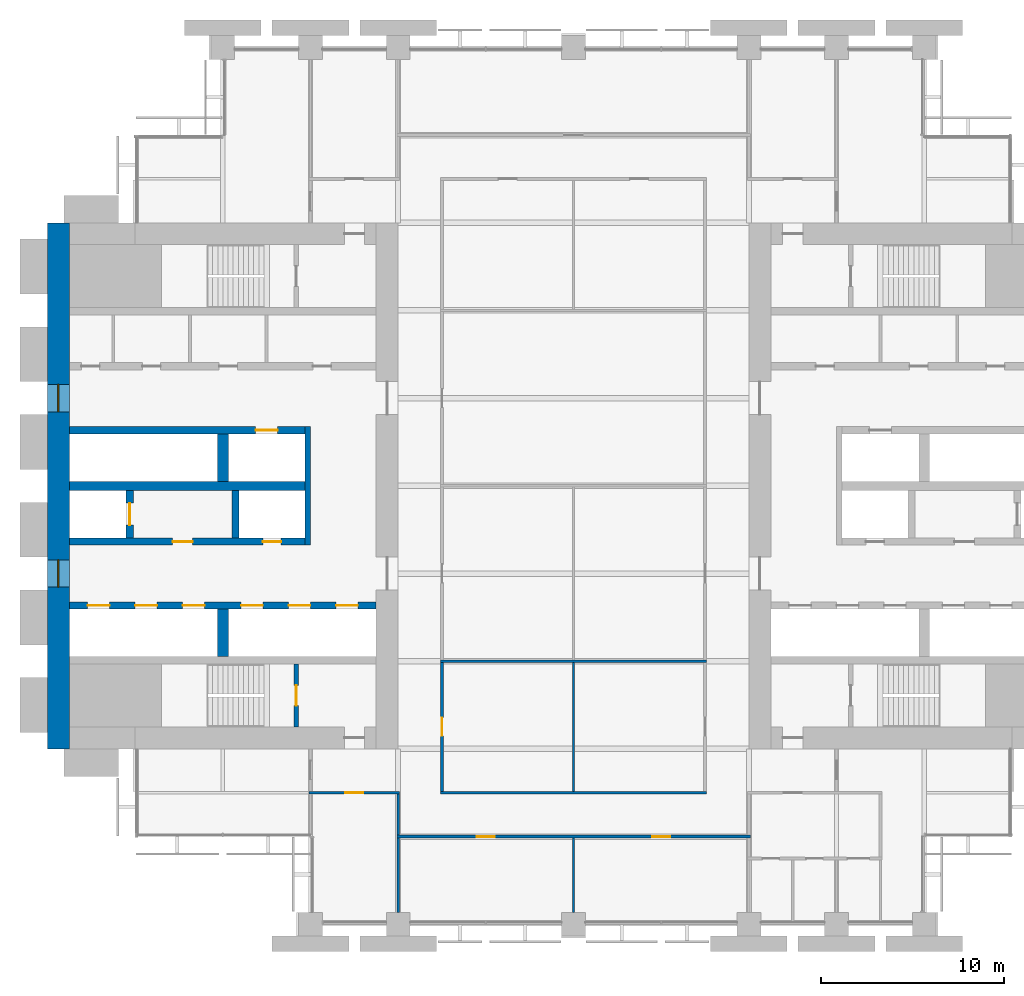
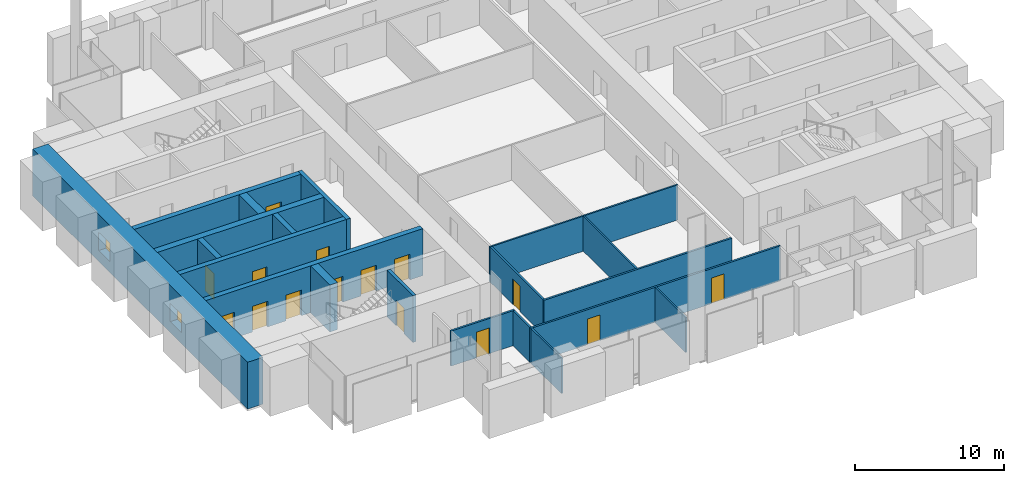
# One storey, part 9 of 14: 20 walls, 15 doors, 2 windows, 17 openings.
"""IFC4 building model written with IfcOpenShell, lengths in metres."""

from ifc_helpers import new_model, si_unit, direction, frame, frame_2d, origin, place, context, subcontext, project, spatial, rectangle, extrude, material, layer, layer_set, type_object, element, fill, save


model = new_model("IFC4")

# Units and contexts
model_context = context("Model", 3, precision=1e-05, world=origin(), true_north=direction((0.0, 1.0)))
body_context = subcontext(model_context, "Body", "Model", "MODEL_VIEW")
ifc_project = project(units=[si_unit("LENGTHUNIT", "METRE"), si_unit("AREAUNIT", "SQUARE_METRE"), si_unit("VOLUMEUNIT", "CUBIC_METRE"), si_unit("PLANEANGLEUNIT", "RADIAN"), si_unit("MASSUNIT", "GRAM", prefix="KILO")], contexts=[model_context])

# Site, building, storey
site_placement = place(None, origin())
site = spatial("IfcSite", under=ifc_project, at=site_placement, CompositionType="ELEMENT")
building_placement = place(site_placement, origin())
building = spatial("IfcBuilding", under=site, at=building_placement, Name="Baori Bourse Tower", CompositionType="ELEMENT")
storey_placement = place(building_placement, frame((0.0, 0.0, 39.0)))
storey = spatial("IfcBuildingStorey", under=building, at=storey_placement, Name="L07", CompositionType="ELEMENT", Elevation=39.0)

# Wall, openings, windows
ifc_material_1 = material(Name="Concrete f'c 70 MPa", Category="concrete")
ifc_layer_1 = layer(ifc_material_1, 1.199951171875)
ifc_layer_set_1 = layer_set([ifc_layer_1], Name="Core wall 1200 f'c 70")
wall_type_1 = type_object("IfcWallType", Name="Core wall 1200 f'c 70", PredefinedType="SHEAR", material=ifc_layer_set_1)
wall_1_placement = place(storey_placement, frame((0.60009765625, 9.60009765625, 0.0), z_axis=(0.0, 0.0, 1.0), x_axis=(0.0, 1.0, 0.0)))
wall_1 = element("IfcWall", 1, at=wall_1_placement, inside=storey, type_object=wall_type_1, Name="Core wall W01", PredefinedType="SHEAR", context=body_context, shape_type="SweptSolid", body=[
    extrude(rectangle(XDim=28.7998046875, YDim=1.199951171875, at=frame_2d((14.39990234375, 0.0))), origin(), (0.0, 0.0, 1.0), 3.840087890625),
])
opening_1_placement = place(wall_1_placement, frame((8.85009765625, 0.0, 0.89990234375)))
opening_1 = element("IfcOpeningElement", 2, at=opening_1_placement, cuts=wall_1, Name="Opening L07-KW101", PredefinedType="OPENING", context=body_context, shape_type="SweptSolid", body=[
    extrude(rectangle(XDim=1.5, YDim=1.5, at=frame_2d((0.75, 0.75))), frame((0.0, 0.60986328125, 0.0), z_axis=(0.0, -1.0, 0.0), x_axis=(1.0, 0.0, 0.0)), (0.0, 0.0, 1.0), 1.219970703125),
])
opening_2_placement = place(wall_1_placement, frame((18.449951171875, 0.0, 0.89990234375)))
opening_2 = element("IfcOpeningElement", 3, at=opening_2_placement, cuts=wall_1, Name="Opening L07-KW102", PredefinedType="OPENING", context=body_context, shape_type="SweptSolid", body=[
    extrude(rectangle(XDim=1.5, YDim=1.5, at=frame_2d((0.75, 0.75))), frame((0.0, 0.60986328125, 0.0), z_axis=(0.0, -1.0, 0.0), x_axis=(1.0, 0.0, 0.0)), (0.0, 0.0, 1.0), 1.219970703125),
])
ifc_material_2 = material(Name="Pale anodised aluminium", Category="aluminium")
window_type = type_object("IfcWindowType", Name="Lobby window 1500 x 1500", PartitioningType="SINGLE_PANEL", PredefinedType="WINDOW", material=ifc_material_2)
window_1_placement = place(opening_1_placement, origin())
window_1 = element("IfcWindow", 4, at=window_1_placement, inside=storey, type_object=window_type, Name="Outer wall window W L07 1", OverallHeight=1.5, OverallWidth=1.5, PartitioningType="SINGLE_PANEL", PredefinedType="WINDOW", context=body_context, shape_type="SweptSolid", body=[
    extrude(rectangle(XDim=1.5, YDim=1.5, at=frame_2d((0.75, 0.75))), frame((0.0, 0.030029296875, 0.0), z_axis=(0.0, -1.0, 0.0), x_axis=(1.0, 0.0, 0.0)), (0.0, 0.0, 1.0), 0.06005859375),
])
fill(opening_1, window_1)
window_2_placement = place(opening_2_placement, origin())
window_2 = element("IfcWindow", 5, at=window_2_placement, inside=storey, type_object=window_type, Name="Outer wall window W L07 2", OverallHeight=1.5, OverallWidth=1.5, PartitioningType="SINGLE_PANEL", PredefinedType="WINDOW", context=body_context, shape_type="SweptSolid", body=[
    extrude(rectangle(XDim=1.5, YDim=1.5, at=frame_2d((0.75, 0.75))), frame((0.0, 0.030029296875, 0.0), z_axis=(0.0, -1.0, 0.0), x_axis=(1.0, 0.0, 0.0)), (0.0, 0.0, 1.0), 0.06005859375),
])
fill(opening_2, window_2)

# Wall, openings, doors
ifc_material_3 = material(Name="Gypsum board partition")
ifc_layer_2 = layer(ifc_material_3, 0.14990234375)
ifc_layer_set_2 = layer_set([ifc_layer_2], Name="Corridor partition 150")
wall_type_2 = type_object("IfcWallType", Name="Corridor partition 150", PredefinedType="PARTITIONING", material=ifc_layer_set_2)
wall_2_placement = place(storey_placement, frame((19.125, 4.800048828125, 0.0), z_axis=(0.0, 0.0, 1.0), x_axis=(1.0, 0.0, 0.0)))
wall_2 = element("IfcWall", 6, at=wall_2_placement, inside=storey, type_object=wall_type_2, Name="Partition", PredefinedType="PARTITIONING", context=body_context, shape_type="SweptSolid", body=[
    extrude(rectangle(XDim=19.35009765625, YDim=0.14990234375, at=frame_2d((9.675048828125, 0.0))), origin(), (0.0, 0.0, 1.0), 2.86962890625),
])
opening_3_placement = place(wall_2_placement, frame((4.375, 0.0, 0.0)))
opening_3 = element("IfcOpeningElement", 7, at=opening_3_placement, cuts=wall_2, Name="Opening L07-D04", PredefinedType="OPENING", context=body_context, shape_type="SweptSolid", body=[
    extrude(rectangle(XDim=1.0, YDim=2.10009765625, at=frame_2d((0.5, 1.050048828125))), frame((0.0, 0.0849609375, 0.0), z_axis=(0.0, -1.0, 0.0), x_axis=(1.0, 0.0, 0.0)), (0.0, 0.0, 1.0), 0.169921875),
])
opening_4_placement = place(wall_2_placement, frame((13.97509765625, 0.0, 0.0)))
opening_4 = element("IfcOpeningElement", 8, at=opening_4_placement, cuts=wall_2, Name="Opening L07-D05", PredefinedType="OPENING", context=body_context, shape_type="SweptSolid", body=[
    extrude(rectangle(XDim=1.0, YDim=2.10009765625, at=frame_2d((0.5, 1.050048828125))), frame((0.0, 0.0849609375, 0.0), z_axis=(0.0, -1.0, 0.0), x_axis=(1.0, 0.0, 0.0)), (0.0, 0.0, 1.0), 0.169921875),
])
ifc_material_4 = material(Name="Timber door leaf", Category="wood")
door_type_1 = type_object("IfcDoorType", Name="Door 1000 x 2100", OperationType="SINGLE_SWING_LEFT", PredefinedType="DOOR", material=ifc_material_4)
door_1_placement = place(opening_3_placement, origin())
door_1 = element("IfcDoor", 9, at=door_1_placement, inside=storey, type_object=door_type_1, Name="Door", OperationType="SINGLE_SWING_LEFT", OverallHeight=2.10009765625, OverallWidth=1.0, PredefinedType="DOOR", context=body_context, shape_type="SweptSolid", body=[
    extrude(rectangle(XDim=1.0, YDim=2.10009765625, at=frame_2d((0.5, 1.050048828125))), frame((0.0, 0.02490234375, 0.0), z_axis=(0.0, -1.0, 0.0), x_axis=(1.0, 0.0, 0.0)), (0.0, 0.0, 1.0), 0.050048828125),
])
fill(opening_3, door_1)
door_2_placement = place(opening_4_placement, origin())
door_2 = element("IfcDoor", 10, at=door_2_placement, inside=storey, type_object=door_type_1, Name="Door", OperationType="SINGLE_SWING_RIGHT", OverallHeight=2.10009765625, OverallWidth=1.0, PredefinedType="DOOR", context=body_context, shape_type="SweptSolid", body=[
    extrude(rectangle(XDim=1.0, YDim=2.10009765625, at=frame_2d((0.5, 1.050048828125))), frame((0.0, 0.02490234375, 0.0), z_axis=(0.0, -1.0, 0.0), x_axis=(1.0, 0.0, 0.0)), (0.0, 0.0, 1.0), 0.050048828125),
])
fill(opening_4, door_2)

# Wall, opening, door
wall_3_placement = place(storey_placement, frame((14.324951171875, 7.199951171875, 0.0), z_axis=(0.0, 0.0, 1.0), x_axis=(1.0, 0.0, 0.0)))
wall_3 = element("IfcWall", 11, at=wall_3_placement, inside=storey, type_object=wall_type_2, Name="Partition", PredefinedType="PARTITIONING", context=body_context, shape_type="SweptSolid", body=[
    extrude(rectangle(XDim=4.949951171875, YDim=0.14990234375, at=frame_2d((2.47509765625, 0.0))), origin(), (0.0, 0.0, 1.0), 2.86962890625),
])
opening_5_placement = place(wall_3_placement, frame((1.97509765625, 0.0, 0.0)))
opening_5 = element("IfcOpeningElement", 12, at=opening_5_placement, cuts=wall_3, Name="Opening L07-D06", PredefinedType="OPENING", context=body_context, shape_type="SweptSolid", body=[
    extrude(rectangle(XDim=1.0, YDim=2.10009765625, at=frame_2d((0.5, 1.050048828125))), frame((0.0, 0.0849609375, 0.0), z_axis=(0.0, -1.0, 0.0), x_axis=(1.0, 0.0, 0.0)), (0.0, 0.0, 1.0), 0.169921875),
])
door_3_placement = place(opening_5_placement, origin())
door_3 = element("IfcDoor", 13, at=door_3_placement, inside=storey, type_object=door_type_1, Name="Door", OperationType="SINGLE_SWING_RIGHT", OverallHeight=2.10009765625, OverallWidth=1.0, PredefinedType="DOOR", context=body_context, shape_type="SweptSolid", body=[
    extrude(rectangle(XDim=1.0, YDim=2.10009765625, at=frame_2d((0.5, 1.050048828125))), frame((0.0, 0.02490234375, 0.0), z_axis=(0.0, -1.0, 0.0), x_axis=(1.0, 0.0, 0.0)), (0.0, 0.0, 1.0), 0.050048828125),
])
fill(opening_5, door_3)

# Walls
wall_4_placement = place(storey_placement, frame((21.52490234375, 7.199951171875, 0.0), z_axis=(0.0, 0.0, 1.0), x_axis=(1.0, 0.0, 0.0)))
element("IfcWall", 14, at=wall_4_placement, inside=storey, type_object=wall_type_2, Name="Partition", PredefinedType="PARTITIONING", context=body_context, shape_type="SweptSolid", body=[
    extrude(rectangle(XDim=14.550048828125, YDim=0.14990234375, at=frame_2d((7.27490234375, 0.0))), origin(), (0.0, 0.0, 1.0), 2.86962890625),
])
wall_5_placement = place(storey_placement, frame((19.199951171875, 4.875, 0.0), z_axis=(0.0, 0.0, 1.0), x_axis=(0.0, 1.0, 0.0)))
element("IfcWall", 15, at=wall_5_placement, inside=storey, type_object=wall_type_2, Name="Partition", PredefinedType="PARTITIONING", context=body_context, shape_type="SweptSolid", body=[
    extrude(rectangle(XDim=2.25, YDim=0.14990234375, at=frame_2d((1.125, 0.0))), origin(), (0.0, 0.0, 1.0), 2.86962890625),
])

# Wall, opening, door
wall_6_placement = place(storey_placement, frame((21.60009765625, 7.27490234375, 0.0), z_axis=(0.0, 0.0, 1.0), x_axis=(0.0, 1.0, 0.0)))
wall_6 = element("IfcWall", 16, at=wall_6_placement, inside=storey, type_object=wall_type_2, Name="Partition", PredefinedType="PARTITIONING", context=body_context, shape_type="SweptSolid", body=[
    extrude(rectangle(XDim=7.0625, YDim=0.14990234375, at=frame_2d((3.53125, 0.0))), origin(), (0.0, 0.0, 1.0), 2.86962890625),
])
opening_6_placement = place(wall_6_placement, frame((3.03125, 0.0, 0.0)))
opening_6 = element("IfcOpeningElement", 17, at=opening_6_placement, cuts=wall_6, Name="Opening L07-D15", PredefinedType="OPENING", context=body_context, shape_type="SweptSolid", body=[
    extrude(rectangle(XDim=1.0, YDim=2.10009765625, at=frame_2d((0.5, 1.050048828125))), frame((0.0, 0.0849609375, 0.0), z_axis=(0.0, -1.0, 0.0), x_axis=(1.0, 0.0, 0.0)), (0.0, 0.0, 1.0), 0.169921875),
])
door_4_placement = place(opening_6_placement, origin())
door_4 = element("IfcDoor", 18, at=door_4_placement, inside=storey, type_object=door_type_1, Name="Door", OperationType="SINGLE_SWING_LEFT", OverallHeight=2.10009765625, OverallWidth=1.0, PredefinedType="DOOR", context=body_context, shape_type="SweptSolid", body=[
    extrude(rectangle(XDim=1.0, YDim=2.10009765625, at=frame_2d((0.5, 1.050048828125))), frame((0.0, 0.02490234375, 0.0), z_axis=(0.0, -1.0, 0.0), x_axis=(1.0, 0.0, 0.0)), (0.0, 0.0, 1.0), 0.050048828125),
])
fill(opening_6, door_4)

# Walls
ifc_material_5 = material(Name="Gypsum board partition")
ifc_layer_3 = layer(ifc_material_5, 0.125)
ifc_layer_set_3 = layer_set([ifc_layer_3], Name="Partition 125")
wall_type_3 = type_object("IfcWallType", Name="Partition 125", PredefinedType="PARTITIONING", material=ifc_layer_set_3)
wall_7_placement = place(storey_placement, frame((21.52490234375, 14.39990234375, 0.0), z_axis=(0.0, 0.0, 1.0), x_axis=(1.0, 0.0, 0.0)))
element("IfcWall", 19, at=wall_7_placement, inside=storey, type_object=wall_type_3, Name="Partition", PredefinedType="PARTITIONING", context=body_context, shape_type="SweptSolid", body=[
    extrude(rectangle(XDim=14.550048828125, YDim=0.125, at=frame_2d((7.27490234375, 0.0))), origin(), (0.0, 0.0, 1.0), 2.86962890625),
])
for number, where, z_axis, x_axis, name in (
    (20, (19.199951171875, 0.64990234375, 0.0), (0.0, 0.0, 1.0), (0.0, 1.0, 0.0), "Partition"),
    (21, (28.800048828125, 0.64990234375, 0.0), (0.0, 0.0, 1.0), (0.0, 1.0, 0.0), "Partition"),
):
    element("IfcWall", number, at=place(storey_placement, frame(where, z_axis=z_axis, x_axis=x_axis)), inside=storey, type_object=wall_type_3, Name=name, PredefinedType="PARTITIONING", context=body_context, shape_type="SweptSolid", body=[
        extrude(rectangle(XDim=4.0751953125, YDim=0.125, at=frame_2d((2.03759765625, 0.0))), origin(), (0.0, 0.0, 1.0), 2.86962890625),
    ])
wall_8_placement = place(storey_placement, frame((28.800048828125, 7.27490234375, 0.0), z_axis=(0.0, 0.0, 1.0), x_axis=(0.0, 1.0, 0.0)))
element("IfcWall", 22, at=wall_8_placement, inside=storey, type_object=wall_type_3, Name="Partition", PredefinedType="PARTITIONING", context=body_context, shape_type="SweptSolid", body=[
    extrude(rectangle(XDim=7.0625, YDim=0.125, at=frame_2d((3.53125, 0.0))), origin(), (0.0, 0.0, 1.0), 2.86962890625),
])

# Wall, opening, door
ifc_material_6 = material(Name="Concrete f'c 70 MPa", Category="concrete")
ifc_layer_4 = layer(ifc_material_6, 0.25)
ifc_layer_set_4 = layer_set([ifc_layer_4], Name="Shaft wall 250 f'c 70")
wall_type_4 = type_object("IfcWallType", Name="Shaft wall 250 f'c 70", PredefinedType="SHEAR", material=ifc_layer_set_4)
wall_9_placement = place(storey_placement, frame((13.625, 10.800048828125, 0.0), z_axis=(0.0, 0.0, 1.0), x_axis=(0.0, 1.0, 0.0)))
wall_9 = element("IfcWall", 23, at=wall_9_placement, inside=storey, type_object=wall_type_4, Name="Core wall W06", PredefinedType="SHEAR", context=body_context, shape_type="SweptSolid", body=[
    extrude(rectangle(XDim=3.449951171875, YDim=0.25, at=frame_2d((1.72509765625, 0.0))), origin(), (0.0, 0.0, 1.0), 3.840087890625),
])
opening_7_placement = place(wall_9_placement, frame((1.175048828125, 0.0, 0.0)))
opening_7 = element("IfcOpeningElement", 24, at=opening_7_placement, cuts=wall_9, Name="Opening L07-D101", PredefinedType="OPENING", context=body_context, shape_type="SweptSolid", body=[
    extrude(rectangle(XDim=1.10009765625, YDim=2.10009765625, at=frame_2d((0.550048828125, 1.050048828125))), frame((0.0, 0.135009765625, 0.0), z_axis=(0.0, -1.0, 0.0), x_axis=(1.0, 0.0, 0.0)), (0.0, 0.0, 1.0), 0.27001953125),
])
ifc_material_7 = material(Name="Painted steel door", Category="steel")
door_type_2 = type_object("IfcDoorType", Name="Stair door 1100", OperationType="SINGLE_SWING_LEFT", PredefinedType="DOOR", material=ifc_material_7)
door_5_placement = place(opening_7_placement, origin())
door_5 = element("IfcDoor", 25, at=door_5_placement, inside=storey, type_object=door_type_2, Name="Stair door A W L07", OperationType="SINGLE_SWING_LEFT", OverallHeight=2.10009765625, OverallWidth=1.10009765625, PredefinedType="DOOR", context=body_context, shape_type="SweptSolid", body=[
    extrude(rectangle(XDim=1.10009765625, YDim=2.10009765625, at=frame_2d((0.550048828125, 1.050048828125))), frame((0.0, 0.02490234375, 0.0), z_axis=(0.0, -1.0, 0.0), x_axis=(1.0, 0.0, 0.0)), (0.0, 0.0, 1.0), 0.050048828125),
])
fill(opening_7, door_5)

# Wall
ifc_material_8 = material(Name="Concrete f'c 70 MPa", Category="concrete")
ifc_layer_5 = layer(ifc_material_8, 0.300048828125)
ifc_layer_set_5 = layer_set([ifc_layer_5], Name="Shaft wall 300 f'c 70")
wall_type_5 = type_object("IfcWallType", Name="Shaft wall 300 f'c 70", PredefinedType="SHEAR", material=ifc_layer_set_5)
wall_10_placement = place(storey_placement, frame((14.25, 20.75, 0.0), z_axis=(0.0, 0.0, 1.0), x_axis=(0.0, 1.0, 0.0)))
element("IfcWall", 26, at=wall_10_placement, inside=storey, type_object=wall_type_5, Name="Core wall W11", PredefinedType="SHEAR", context=body_context, shape_type="SweptSolid", body=[
    extrude(rectangle(XDim=6.5, YDim=0.300048828125, at=frame_2d((3.25, 0.0))), origin(), (0.0, 0.0, 1.0), 3.840087890625),
])

# Wall, openings, doors
ifc_material_9 = material(Name="Concrete f'c 70 MPa", Category="concrete")
ifc_layer_6 = layer(ifc_material_9, 0.39990234375)
ifc_layer_set_6 = layer_set([ifc_layer_6], Name="Shaft wall 400 f'c 70")
wall_type_6 = type_object("IfcWallType", Name="Shaft wall 400 f'c 70", PredefinedType="SHEAR", material=ifc_layer_set_6)
wall_11_placement = place(storey_placement, frame((1.199951171875, 17.449951171875, 0.0), z_axis=(0.0, 0.0, 1.0), x_axis=(1.0, 0.0, 0.0)))
wall_11 = element("IfcWall", 27, at=wall_11_placement, inside=storey, type_object=wall_type_6, Name="Core wall W09", PredefinedType="SHEAR", context=body_context, shape_type="SweptSolid", body=[
    extrude(rectangle(XDim=16.800048828125, YDim=0.39990234375, at=frame_2d((8.39990234375, 0.0))), origin(), (0.0, 0.0, 1.0), 3.840087890625),
])
opening_8_placement = place(wall_11_placement, frame((1.0, 0.0, 0.0)))
opening_8 = element("IfcOpeningElement", 28, at=opening_8_placement, cuts=wall_11, Name="Opening L07-D113", PredefinedType="OPENING", context=body_context, shape_type="SweptSolid", body=[
    extrude(rectangle(XDim=1.199951171875, YDim=2.10009765625, at=frame_2d((0.60009765625, 1.050048828125))), frame((0.0, 0.2099609375, 0.0), z_axis=(0.0, -1.0, 0.0), x_axis=(1.0, 0.0, 0.0)), (0.0, 0.0, 1.0), 0.419921875),
])
opening_9_placement = place(wall_11_placement, frame((3.60009765625, 0.0, 0.0)))
opening_9 = element("IfcOpeningElement", 29, at=opening_9_placement, cuts=wall_11, Name="Opening L07-D114", PredefinedType="OPENING", context=body_context, shape_type="SweptSolid", body=[
    extrude(rectangle(XDim=1.199951171875, YDim=2.10009765625, at=frame_2d((0.60009765625, 1.050048828125))), frame((0.0, 0.2099609375, 0.0), z_axis=(0.0, -1.0, 0.0), x_axis=(1.0, 0.0, 0.0)), (0.0, 0.0, 1.0), 0.419921875),
])
opening_10_placement = place(wall_11_placement, frame((6.199951171875, 0.0, 0.0)))
opening_10 = element("IfcOpeningElement", 30, at=opening_10_placement, cuts=wall_11, Name="Opening L07-D115", PredefinedType="OPENING", context=body_context, shape_type="SweptSolid", body=[
    extrude(rectangle(XDim=1.199951171875, YDim=2.10009765625, at=frame_2d((0.60009765625, 1.050048828125))), frame((0.0, 0.2099609375, 0.0), z_axis=(0.0, -1.0, 0.0), x_axis=(1.0, 0.0, 0.0)), (0.0, 0.0, 1.0), 0.419921875),
])
opening_11_placement = place(wall_11_placement, frame((9.39990234375, 0.0, 0.0)))
opening_11 = element("IfcOpeningElement", 31, at=opening_11_placement, cuts=wall_11, Name="Opening L07-D116", PredefinedType="OPENING", context=body_context, shape_type="SweptSolid", body=[
    extrude(rectangle(XDim=1.199951171875, YDim=2.10009765625, at=frame_2d((0.60009765625, 1.050048828125))), frame((0.0, 0.2099609375, 0.0), z_axis=(0.0, -1.0, 0.0), x_axis=(1.0, 0.0, 0.0)), (0.0, 0.0, 1.0), 0.419921875),
])
opening_12_placement = place(wall_11_placement, frame((12.0, 0.0, 0.0)))
opening_12 = element("IfcOpeningElement", 32, at=opening_12_placement, cuts=wall_11, Name="Opening L07-D117", PredefinedType="OPENING", context=body_context, shape_type="SweptSolid", body=[
    extrude(rectangle(XDim=1.199951171875, YDim=2.10009765625, at=frame_2d((0.60009765625, 1.050048828125))), frame((0.0, 0.2099609375, 0.0), z_axis=(0.0, -1.0, 0.0), x_axis=(1.0, 0.0, 0.0)), (0.0, 0.0, 1.0), 0.419921875),
])
opening_13_placement = place(wall_11_placement, frame((14.60009765625, 0.0, 0.0)))
opening_13 = element("IfcOpeningElement", 33, at=opening_13_placement, cuts=wall_11, Name="Opening L07-D118", PredefinedType="OPENING", context=body_context, shape_type="SweptSolid", body=[
    extrude(rectangle(XDim=1.199951171875, YDim=2.10009765625, at=frame_2d((0.60009765625, 1.050048828125))), frame((0.0, 0.2099609375, 0.0), z_axis=(0.0, -1.0, 0.0), x_axis=(1.0, 0.0, 0.0)), (0.0, 0.0, 1.0), 0.419921875),
])
ifc_material_10 = material(Name="Stainless steel door", Category="steel")
door_type_3 = type_object("IfcDoorType", Name="Lift landing door", OperationType="DOUBLE_DOOR_SLIDING", PredefinedType="DOOR", material=ifc_material_10)
door_6_placement = place(opening_8_placement, origin())
door_6 = element("IfcDoor", 34, at=door_6_placement, inside=storey, type_object=door_type_3, Name="Lift landing door LR1 W L07", OperationType="DOUBLE_DOOR_SLIDING", OverallHeight=2.10009765625, OverallWidth=1.199951171875, PredefinedType="DOOR", context=body_context, shape_type="SweptSolid", body=[
    extrude(rectangle(XDim=1.199951171875, YDim=2.10009765625, at=frame_2d((0.60009765625, 1.050048828125))), frame((0.0, 0.02490234375, 0.0), z_axis=(0.0, -1.0, 0.0), x_axis=(1.0, 0.0, 0.0)), (0.0, 0.0, 1.0), 0.050048828125),
])
fill(opening_8, door_6)
door_7_placement = place(opening_9_placement, origin())
door_7 = element("IfcDoor", 35, at=door_7_placement, inside=storey, type_object=door_type_3, Name="Lift landing door LR2 W L07", OperationType="DOUBLE_DOOR_SLIDING", OverallHeight=2.10009765625, OverallWidth=1.199951171875, PredefinedType="DOOR", context=body_context, shape_type="SweptSolid", body=[
    extrude(rectangle(XDim=1.199951171875, YDim=2.10009765625, at=frame_2d((0.60009765625, 1.050048828125))), frame((0.0, 0.02490234375, 0.0), z_axis=(0.0, -1.0, 0.0), x_axis=(1.0, 0.0, 0.0)), (0.0, 0.0, 1.0), 0.050048828125),
])
fill(opening_9, door_7)
door_8_placement = place(opening_10_placement, origin())
door_8 = element("IfcDoor", 36, at=door_8_placement, inside=storey, type_object=door_type_3, Name="Lift landing door LR3 W L07", OperationType="DOUBLE_DOOR_SLIDING", OverallHeight=2.10009765625, OverallWidth=1.199951171875, PredefinedType="DOOR", context=body_context, shape_type="SweptSolid", body=[
    extrude(rectangle(XDim=1.199951171875, YDim=2.10009765625, at=frame_2d((0.60009765625, 1.050048828125))), frame((0.0, 0.02490234375, 0.0), z_axis=(0.0, -1.0, 0.0), x_axis=(1.0, 0.0, 0.0)), (0.0, 0.0, 1.0), 0.050048828125),
])
fill(opening_10, door_8)
door_9_placement = place(opening_11_placement, origin())
door_9 = element("IfcDoor", 37, at=door_9_placement, inside=storey, type_object=door_type_3, Name="Lift landing door LR4 W L07", OperationType="DOUBLE_DOOR_SLIDING", OverallHeight=2.10009765625, OverallWidth=1.199951171875, PredefinedType="DOOR", context=body_context, shape_type="SweptSolid", body=[
    extrude(rectangle(XDim=1.199951171875, YDim=2.10009765625, at=frame_2d((0.60009765625, 1.050048828125))), frame((0.0, 0.02490234375, 0.0), z_axis=(0.0, -1.0, 0.0), x_axis=(1.0, 0.0, 0.0)), (0.0, 0.0, 1.0), 0.050048828125),
])
fill(opening_11, door_9)
door_10_placement = place(opening_12_placement, origin())
door_10 = element("IfcDoor", 38, at=door_10_placement, inside=storey, type_object=door_type_3, Name="Lift landing door LR5 W L07", OperationType="DOUBLE_DOOR_SLIDING", OverallHeight=2.10009765625, OverallWidth=1.199951171875, PredefinedType="DOOR", context=body_context, shape_type="SweptSolid", body=[
    extrude(rectangle(XDim=1.199951171875, YDim=2.10009765625, at=frame_2d((0.60009765625, 1.050048828125))), frame((0.0, 0.02490234375, 0.0), z_axis=(0.0, -1.0, 0.0), x_axis=(1.0, 0.0, 0.0)), (0.0, 0.0, 1.0), 0.050048828125),
])
fill(opening_12, door_10)
door_11_placement = place(opening_13_placement, origin())
door_11 = element("IfcDoor", 39, at=door_11_placement, inside=storey, type_object=door_type_3, Name="Lift landing door LR6 W L07", OperationType="DOUBLE_DOOR_SLIDING", OverallHeight=2.10009765625, OverallWidth=1.199951171875, PredefinedType="DOOR", context=body_context, shape_type="SweptSolid", body=[
    extrude(rectangle(XDim=1.199951171875, YDim=2.10009765625, at=frame_2d((0.60009765625, 1.050048828125))), frame((0.0, 0.02490234375, 0.0), z_axis=(0.0, -1.0, 0.0), x_axis=(1.0, 0.0, 0.0)), (0.0, 0.0, 1.0), 0.050048828125),
])
fill(opening_13, door_11)

wall_12_placement = place(storey_placement, frame((1.199951171875, 20.949951171875, 0.0), z_axis=(0.0, 0.0, 1.0), x_axis=(1.0, 0.0, 0.0)))
wall_12 = element("IfcWall", 40, at=wall_12_placement, inside=storey, type_object=wall_type_6, Name="Core wall W10", PredefinedType="SHEAR", context=body_context, shape_type="SweptSolid", body=[
    extrude(rectangle(XDim=12.900146484375, YDim=0.39990234375, at=frame_2d((6.4501953125, 0.0))), origin(), (0.0, 0.0, 1.0), 3.840087890625),
])
opening_14_placement = place(wall_12_placement, frame((5.64990234375, 0.0, 0.0)))
opening_14 = element("IfcOpeningElement", 41, at=opening_14_placement, cuts=wall_12, Name="Opening L07-D105", PredefinedType="OPENING", context=body_context, shape_type="SweptSolid", body=[
    extrude(rectangle(XDim=1.10009765625, YDim=2.10009765625, at=frame_2d((0.550048828125, 1.050048828125))), frame((0.0, 0.2099609375, 0.0), z_axis=(0.0, -1.0, 0.0), x_axis=(1.0, 0.0, 0.0)), (0.0, 0.0, 1.0), 0.419921875),
])
opening_15_placement = place(wall_12_placement, frame((10.60009765625, 0.0, 0.0)))
opening_15 = element("IfcOpeningElement", 42, at=opening_15_placement, cuts=wall_12, Name="Opening L07-D106", PredefinedType="OPENING", context=body_context, shape_type="SweptSolid", body=[
    extrude(rectangle(XDim=1.0, YDim=2.10009765625, at=frame_2d((0.5, 1.050048828125))), frame((0.0, 0.2099609375, 0.0), z_axis=(0.0, -1.0, 0.0), x_axis=(1.0, 0.0, 0.0)), (0.0, 0.0, 1.0), 0.419921875),
])
ifc_material_11 = material(Name="Painted steel door", Category="steel")
door_type_4 = type_object("IfcDoorType", Name="Lobby door 1100", OperationType="SINGLE_SWING_LEFT", PredefinedType="DOOR", material=ifc_material_11)
door_12_placement = place(opening_14_placement, origin())
door_12 = element("IfcDoor", 43, at=door_12_placement, inside=storey, type_object=door_type_4, Name="Firefighting lobby door W L07", OperationType="SINGLE_SWING_LEFT", OverallHeight=2.10009765625, OverallWidth=1.10009765625, PredefinedType="DOOR", context=body_context, shape_type="SweptSolid", body=[
    extrude(rectangle(XDim=1.10009765625, YDim=2.10009765625, at=frame_2d((0.550048828125, 1.050048828125))), frame((0.0, 0.02490234375, 0.0), z_axis=(0.0, -1.0, 0.0), x_axis=(1.0, 0.0, 0.0)), (0.0, 0.0, 1.0), 0.050048828125),
])
fill(opening_14, door_12)
ifc_material_12 = material(Name="Painted steel door", Category="steel")
door_type_5 = type_object("IfcDoorType", Name="Shaft door 1000", OperationType="SINGLE_SWING_LEFT", PredefinedType="DOOR", material=ifc_material_12)
door_13_placement = place(opening_15_placement, origin())
door_13 = element("IfcDoor", 44, at=door_13_placement, inside=storey, type_object=door_type_5, Name="Riser room door W L07", OperationType="SINGLE_SWING_LEFT", OverallHeight=2.10009765625, OverallWidth=1.0, PredefinedType="DOOR", context=body_context, shape_type="SweptSolid", body=[
    extrude(rectangle(XDim=1.0, YDim=2.10009765625, at=frame_2d((0.5, 1.050048828125))), frame((0.0, 0.02490234375, 0.0), z_axis=(0.0, -1.0, 0.0), x_axis=(1.0, 0.0, 0.0)), (0.0, 0.0, 1.0), 0.050048828125),
])
fill(opening_15, door_13)

# Wall, opening, door
wall_13_placement = place(storey_placement, frame((4.5, 21.14990234375, 0.0), z_axis=(0.0, 0.0, 1.0), x_axis=(0.0, 1.0, 0.0)))
wall_13 = element("IfcWall", 45, at=wall_13_placement, inside=storey, type_object=wall_type_6, Name="Core wall W12", PredefinedType="SHEAR", context=body_context, shape_type="SweptSolid", body=[
    extrude(rectangle(XDim=2.60009765625, YDim=0.39990234375, at=frame_2d((1.300048828125, 0.0))), origin(), (0.0, 0.0, 1.0), 3.840087890625),
])
opening_16_placement = place(wall_13_placement, frame((0.699951171875, 0.0, 0.0)))
opening_16 = element("IfcOpeningElement", 46, at=opening_16_placement, cuts=wall_13, Name="Opening L07-D120", PredefinedType="OPENING", context=body_context, shape_type="SweptSolid", body=[
    extrude(rectangle(XDim=1.199951171875, YDim=2.10009765625, at=frame_2d((0.60009765625, 1.050048828125))), frame((0.0, 0.2099609375, 0.0), z_axis=(0.0, -1.0, 0.0), x_axis=(1.0, 0.0, 0.0)), (0.0, 0.0, 1.0), 0.419921875),
])
door_14_placement = place(opening_16_placement, origin())
door_14 = element("IfcDoor", 47, at=door_14_placement, inside=storey, type_object=door_type_3, Name="Lift landing door FF1 W L07", OperationType="DOUBLE_DOOR_SLIDING", OverallHeight=2.10009765625, OverallWidth=1.199951171875, PredefinedType="DOOR", context=body_context, shape_type="SweptSolid", body=[
    extrude(rectangle(XDim=1.199951171875, YDim=2.10009765625, at=frame_2d((0.60009765625, 1.050048828125))), frame((0.0, 0.02490234375, 0.0), z_axis=(0.0, -1.0, 0.0), x_axis=(1.0, 0.0, 0.0)), (0.0, 0.0, 1.0), 0.050048828125),
])
fill(opening_16, door_14)

# Wall
wall_14_placement = place(storey_placement, frame((10.300048828125, 21.14990234375, 0.0), z_axis=(0.0, 0.0, 1.0), x_axis=(0.0, 1.0, 0.0)))
element("IfcWall", 48, at=wall_14_placement, inside=storey, type_object=wall_type_6, Name="Core wall W13", PredefinedType="SHEAR", context=body_context, shape_type="SweptSolid", body=[
    extrude(rectangle(XDim=2.60009765625, YDim=0.39990234375, at=frame_2d((1.300048828125, 0.0))), origin(), (0.0, 0.0, 1.0), 3.840087890625),
])

# Wall, opening, door
wall_15_placement = place(storey_placement, frame((1.199951171875, 27.050048828125, 0.0), z_axis=(0.0, 0.0, 1.0), x_axis=(1.0, 0.0, 0.0)))
wall_15 = element("IfcWall", 49, at=wall_15_placement, inside=storey, type_object=wall_type_6, Name="Core wall W16", PredefinedType="SHEAR", context=body_context, shape_type="SweptSolid", body=[
    extrude(rectangle(XDim=12.900146484375, YDim=0.39990234375, at=frame_2d((6.4501953125, 0.0))), origin(), (0.0, 0.0, 1.0), 3.840087890625),
])
opening_17_placement = place(wall_15_placement, frame((10.199951171875, 0.0, 0.0)))
opening_17 = element("IfcOpeningElement", 50, at=opening_17_placement, cuts=wall_15, Name="Opening L07-D119", PredefinedType="OPENING", context=body_context, shape_type="SweptSolid", body=[
    extrude(rectangle(XDim=1.199951171875, YDim=2.10009765625, at=frame_2d((0.60009765625, 1.050048828125))), frame((0.0, 0.2099609375, 0.0), z_axis=(0.0, -1.0, 0.0), x_axis=(1.0, 0.0, 0.0)), (0.0, 0.0, 1.0), 0.419921875),
])
door_15_placement = place(opening_17_placement, origin())
door_15 = element("IfcDoor", 51, at=door_15_placement, inside=storey, type_object=door_type_3, Name="Lift landing door SV1 W L07", OperationType="DOUBLE_DOOR_SLIDING", OverallHeight=2.10009765625, OverallWidth=1.199951171875, PredefinedType="DOOR", context=body_context, shape_type="SweptSolid", body=[
    extrude(rectangle(XDim=1.199951171875, YDim=2.10009765625, at=frame_2d((0.60009765625, 1.050048828125))), frame((0.0, 0.02490234375, 0.0), z_axis=(0.0, -1.0, 0.0), x_axis=(1.0, 0.0, 0.0)), (0.0, 0.0, 1.0), 0.050048828125),
])
fill(opening_17, door_15)

# Walls
ifc_material_13 = material(Name="Concrete f'c 70 MPa", Category="concrete")
ifc_layer_7 = layer(ifc_material_13, 0.5)
ifc_layer_set_7 = layer_set([ifc_layer_7], Name="Shaft wall 500 f'c 70")
wall_type_7 = type_object("IfcWallType", Name="Shaft wall 500 f'c 70", PredefinedType="SHEAR", material=ifc_layer_set_7)
wall_16_placement = place(storey_placement, frame((1.199951171875, 24.0, 0.0), z_axis=(0.0, 0.0, 1.0), x_axis=(1.0, 0.0, 0.0)))
element("IfcWall", 52, at=wall_16_placement, inside=storey, type_object=wall_type_7, Name="Core wall W14", PredefinedType="SHEAR", context=body_context, shape_type="SweptSolid", body=[
    extrude(rectangle(XDim=12.900146484375, YDim=0.5, at=frame_2d((6.4501953125, 0.0))), origin(), (0.0, 0.0, 1.0), 3.840087890625),
])
ifc_material_14 = material(Name="Concrete f'c 70 MPa", Category="concrete")
ifc_layer_8 = layer(ifc_material_14, 0.60009765625)
ifc_layer_set_8 = layer_set([ifc_layer_8], Name="Shaft wall 600 f'c 70")
wall_type_8 = type_object("IfcWallType", Name="Shaft wall 600 f'c 70", PredefinedType="SHEAR", material=ifc_layer_set_8)
for number, where, z_axis, x_axis, name in (
    (53, (9.60009765625, 14.64990234375, 0.0), (0.0, 0.0, 1.0), (0.0, 1.0, 0.0), "Core wall W08"),
    (54, (9.60009765625, 24.25, 0.0), (0.0, 0.0, 1.0), (0.0, 1.0, 0.0), "Core wall W15"),
):
    element("IfcWall", number, at=place(storey_placement, frame(where, z_axis=z_axis, x_axis=x_axis)), inside=storey, type_object=wall_type_8, Name=name, PredefinedType="SHEAR", context=body_context, shape_type="SweptSolid", body=[
        extrude(rectangle(XDim=2.60009765625, YDim=0.60009765625, at=frame_2d((1.300048828125, 0.0))), origin(), (0.0, 0.0, 1.0), 3.840087890625),
    ])

save(model, "model.ifc")
